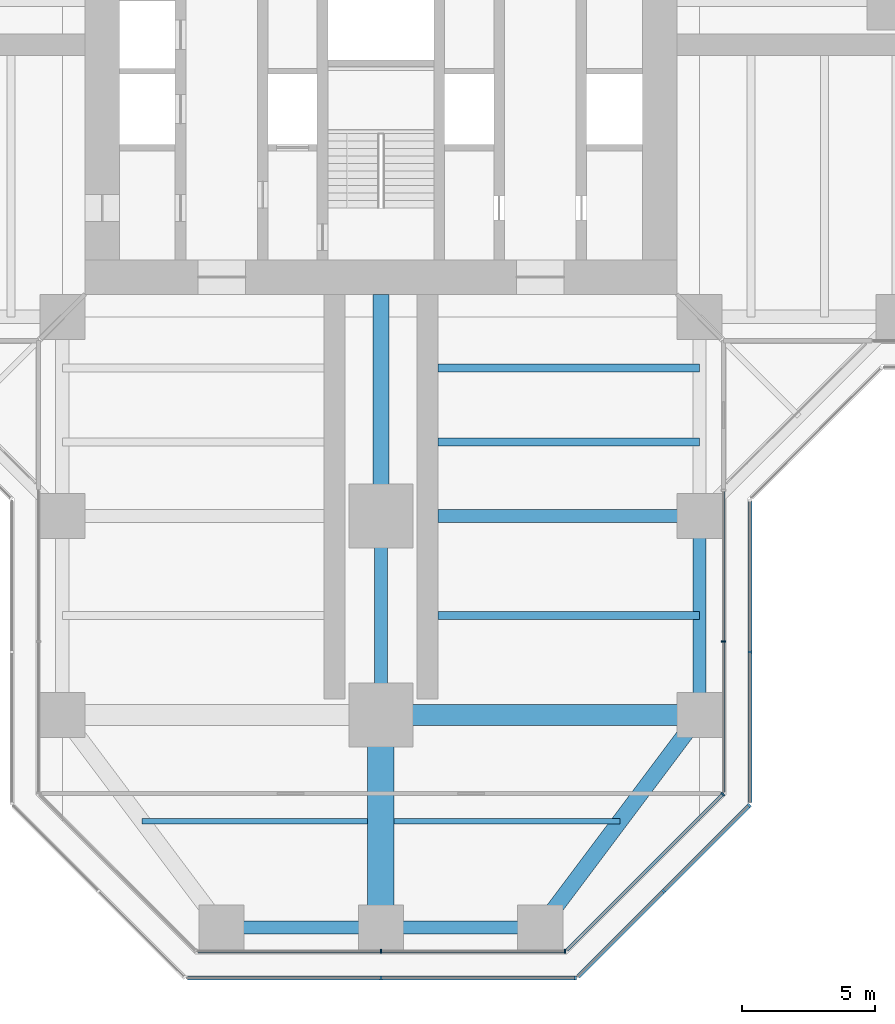
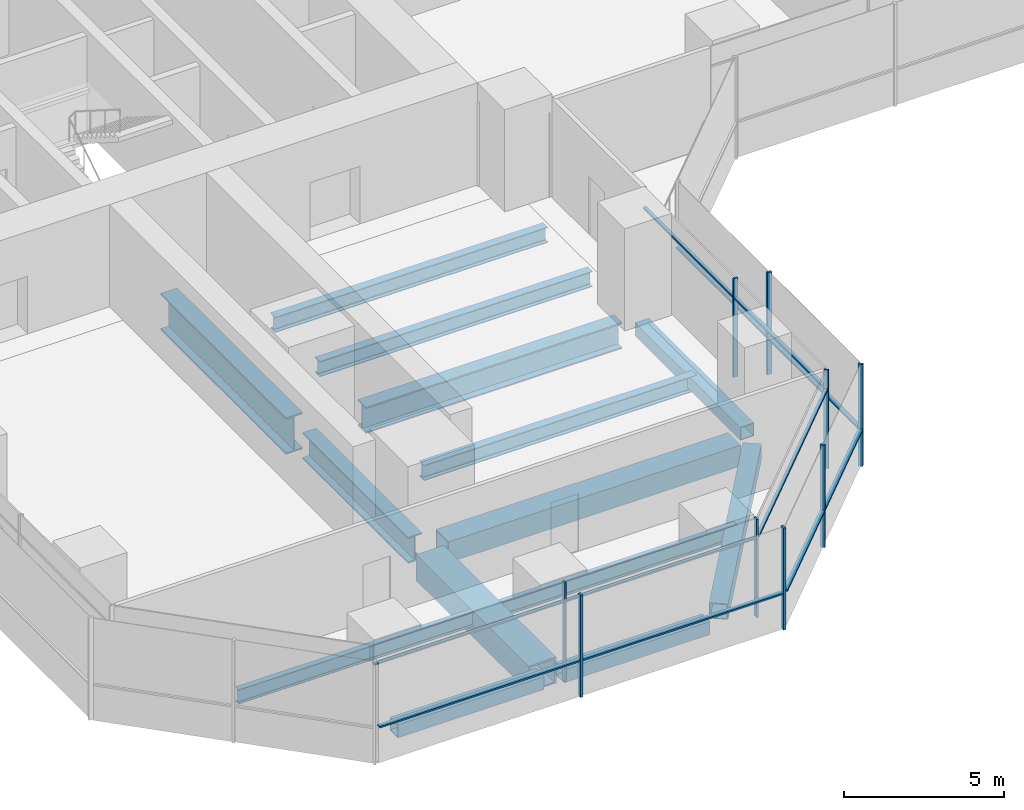
# One storey, part 5 of 22: 20 members, 14 beams, 6 elements without a shape of their own.
"""IFC4 building model written with IfcOpenShell, lengths in metres."""

from ifc_helpers import new_model, si_unit, direction, frame, origin, origin_2d, place, context, subcontext, project, spatial, rectangle, hollow_rectangle, i_section, extrude, material, material_profile, profile_set, type_object, element, aggregate, save


model = new_model("IFC4")

# Units and contexts
model_context = context("Model", 3, precision=1e-05, world=origin(), true_north=direction((0.0, 1.0)))
body_context = subcontext(model_context, "Body", "Model", "MODEL_VIEW")
ifc_project = project(units=[si_unit("LENGTHUNIT", "METRE"), si_unit("AREAUNIT", "SQUARE_METRE"), si_unit("VOLUMEUNIT", "CUBIC_METRE"), si_unit("PLANEANGLEUNIT", "RADIAN"), si_unit("MASSUNIT", "GRAM", prefix="KILO")], contexts=[model_context])

# Site, building, storey
site_placement = place(None, origin())
site = spatial("IfcSite", under=ifc_project, at=site_placement, CompositionType="ELEMENT")
building_placement = place(site_placement, origin())
building = spatial("IfcBuilding", under=site, at=building_placement, Name="Mizan Broadcast Tower", CompositionType="ELEMENT")
storey_placement = place(building_placement, frame((0.0, 0.0, 66.89990234375)))
storey = spatial("IfcBuildingStorey", under=building, at=storey_placement, Name="L13", CompositionType="ELEMENT", Elevation=66.89990234375)

# Beams
ifc_material_1 = material(Name="Steel S355", Category="steel")
ifc_material_profile_1 = material_profile(ifc_material_1, hollow_rectangle(XDim=0.5, YDim=0.5, WallThickness=0.030029296875, at=origin_2d()), Name="BOX 500x500x30")
ifc_profile_set_1 = profile_set([ifc_material_profile_1], Name="Steel S355")
beam_type_1 = type_object("IfcBeamType", Name="EDGE BEAM BOX 500x500x30", PredefinedType="SPANDREL", material=ifc_profile_set_1)
beam_1_placement = place(storey_placement, frame((-5.639892578125, -35.0, -0.3798828125), z_axis=(1.0, 0.0, 0.0), x_axis=(0.0, 1.0, 0.0)))
element("IfcBeam", 1, at=beam_1_placement, inside=storey, type_object=beam_type_1, Name="Edge beam BOX 500x500x30 L13 south arm", PredefinedType="SPANDREL", context=body_context, shape_type="SweptSolid", body=[
    extrude(hollow_rectangle(XDim=0.5, YDim=0.5, WallThickness=0.030029296875, at=origin_2d()), origin(), (0.0, 0.0, 1.0), 5.27978515625),
])
beam_2_placement = place(storey_placement, frame((12.0, -19.949951171875, -0.3798828125), z_axis=(0.0, -1.0, 0.0), x_axis=(1.0, 0.0, 0.0)))
element("IfcBeam", 2, at=beam_2_placement, inside=storey, type_object=beam_type_1, Name="Edge beam BOX 500x500x30 L13 south arm", PredefinedType="SPANDREL", context=body_context, shape_type="SweptSolid", body=[
    extrude(hollow_rectangle(XDim=0.5, YDim=0.5, WallThickness=0.030029296875, at=origin_2d()), origin(), (0.0, 0.0, 1.0), 6.60009765625),
])
beam_3_placement = place(storey_placement, frame((5.639892578125, -35.0, -0.3798828125), z_axis=(-1.0, 0.0, 0.0), x_axis=(0.0, -1.0, 0.0)))
element("IfcBeam", 3, at=beam_3_placement, inside=storey, type_object=beam_type_1, Name="Edge beam BOX 500x500x30 L13 south arm", PredefinedType="SPANDREL", context=body_context, shape_type="SweptSolid", body=[
    extrude(hollow_rectangle(XDim=0.5, YDim=0.5, WallThickness=0.030029296875, at=origin_2d()), origin(), (0.0, 0.0, 1.0), 5.27978515625),
])
ifc_material_2 = material(Name="Steel S355", Category="steel")
ifc_material_profile_2 = material_profile(ifc_material_2, hollow_rectangle(XDim=0.60009765625, YDim=0.60009765625, WallThickness=0.030029296875, at=origin_2d()), Name="BOX 600x600x30")
ifc_profile_set_2 = profile_set([ifc_material_profile_2], Name="Steel S355")
beam_type_2 = type_object("IfcBeamType", Name="EDGE BEAM BOX 600x600x30", PredefinedType="SPANDREL", material=ifc_profile_set_2)
beam_4_placement = place(storey_placement, frame((11.639892578125, -27.47998046875, -0.429931640625), z_axis=(-0.599982243973, -0.800013316712, 0.0), x_axis=(0.800013316712, -0.599982243973, 0.0)))
element("IfcBeam", 4, at=beam_4_placement, inside=storey, type_object=beam_type_2, Name="Edge beam BOX 600x600x30 L13 south arm", PredefinedType="SPANDREL", context=body_context, shape_type="SweptSolid", body=[
    extrude(hollow_rectangle(XDim=0.60009765625, YDim=0.60009765625, WallThickness=0.030029296875, at=origin_2d()), origin(), (0.0, 0.0, 1.0), 8.7998046875),
])
ifc_material_3 = material(Name="Steel S460", Category="steel")
ifc_material_profile_3 = material_profile(ifc_material_3, hollow_rectangle(XDim=1.0, YDim=1.0, WallThickness=0.06005859375, at=origin_2d()), Name="BOX 1000x1000x60")
ifc_profile_set_3 = profile_set([ifc_material_profile_3], Name="Steel S460")
beam_type_3 = type_object("IfcBeamType", Name="GIRDER BOX 1000x1000x60", PredefinedType="BEAM", material=ifc_profile_set_3)
beam_5_placement = place(storey_placement, frame((0.0, -27.47998046875, -0.6298828125), z_axis=(0.0, -1.0, 0.0), x_axis=(1.0, 0.0, 0.0)))
element("IfcBeam", 5, at=beam_5_placement, inside=storey, type_object=beam_type_3, Name="Girder BOX 1000x1000x60 L13 south arm", PredefinedType="BEAM", context=body_context, shape_type="SweptSolid", body=[
    extrude(hollow_rectangle(XDim=1.0, YDim=1.0, WallThickness=0.06005859375, at=origin_2d()), origin(), (0.0, 0.0, 1.0), 7.0400390625),
])
ifc_material_4 = material(Name="Steel S460", Category="steel")
ifc_material_profile_4 = material_profile(ifc_material_4, hollow_rectangle(XDim=0.800048828125, YDim=0.800048828125, WallThickness=0.050048828125, at=origin_2d()), Name="BOX 800x800x50")
ifc_profile_set_4 = profile_set([ifc_material_profile_4], Name="Steel S460")
beam_type_4 = type_object("IfcBeamType", Name="GIRDER BOX 800x800x50", PredefinedType="BEAM", material=ifc_profile_set_4)
beam_6_placement = place(storey_placement, frame((11.280029296875, -27.0, -0.52978515625), z_axis=(-1.0, 0.0, 0.0), x_axis=(0.0, -1.0, 0.0)))
element("IfcBeam", 6, at=beam_6_placement, inside=storey, type_object=beam_type_4, Name="Girder BOX 800x800x50 L13 south arm", PredefinedType="BEAM", context=body_context, shape_type="SweptSolid", body=[
    extrude(hollow_rectangle(XDim=0.800048828125, YDim=0.800048828125, WallThickness=0.050048828125, at=origin_2d()), origin(), (0.0, 0.0, 1.0), 10.56005859375),
])
ifc_material_5 = material(Name="Steel S460", Category="steel")
ifc_material_profile_5 = material_profile(ifc_material_5, i_section(OverallWidth=0.5, OverallDepth=1.0, WebThickness=0.02490234375, FlangeThickness=0.050048828125, at=origin_2d()), Name="WPG 1000x500")
ifc_profile_set_5 = profile_set([ifc_material_profile_5], Name="Steel S460")
beam_type_5 = type_object("IfcBeamType", Name="GIRDER WPG 1000x500", PredefinedType="BEAM", material=ifc_profile_set_5)
beam_7_placement = place(storey_placement, frame((0.0, -19.949951171875, -0.6298828125), z_axis=(0.0, -1.0, 0.0), x_axis=(1.0, 0.0, 0.0)))
element("IfcBeam", 7, at=beam_7_placement, inside=storey, type_object=beam_type_5, Name="Girder WPG 1000x500 L13 south arm", PredefinedType="BEAM", context=body_context, shape_type="SweptSolid", body=[
    extrude(i_section(OverallWidth=0.5, OverallDepth=1.0, WebThickness=0.02490234375, FlangeThickness=0.050048828125, at=origin_2d()), origin(), (0.0, 0.0, 1.0), 6.60009765625),
])
beam_8_placement = place(storey_placement, frame((11.408935546875, -19.5, -0.6298828125), z_axis=(-1.0, 0.0, 0.0), x_axis=(0.0, -1.0, 0.0)))
element("IfcBeam", 8, at=beam_8_placement, inside=storey, type_object=beam_type_5, Name="Girder WPG 1000x500 L13 south arm", PredefinedType="BEAM", context=body_context, shape_type="SweptSolid", body=[
    extrude(i_section(OverallWidth=0.5, OverallDepth=1.0, WebThickness=0.02490234375, FlangeThickness=0.050048828125, at=origin_2d()), origin(), (0.0, 0.0, 1.0), 9.259033203125),
])
ifc_material_6 = material(Name="Steel S460", Category="steel")
ifc_material_profile_6 = material_profile(ifc_material_6, i_section(OverallWidth=0.60009765625, OverallDepth=1.39990234375, WebThickness=0.02490234375, FlangeThickness=0.06005859375, at=origin_2d()), Name="WPG 1400x600")
ifc_profile_set_6 = profile_set([ifc_material_profile_6], Name="Steel S460")
beam_type_6 = type_object("IfcBeamType", Name="GIRDER WPG 1400x600", PredefinedType="BEAM", material=ifc_profile_set_6)
beam_9_placement = place(storey_placement, frame((0.0, -11.14990234375, -0.829833984375), z_axis=(0.0, -1.0, 0.0), x_axis=(1.0, 0.0, 0.0)))
element("IfcBeam", 9, at=beam_9_placement, inside=storey, type_object=beam_type_6, Name="Girder WPG 1400x600 L13 south arm", PredefinedType="BEAM", context=body_context, shape_type="SweptSolid", body=[
    extrude(i_section(OverallWidth=0.60009765625, OverallDepth=1.39990234375, WebThickness=0.02490234375, FlangeThickness=0.06005859375, at=origin_2d()), origin(), (0.0, 0.0, 1.0), 7.84912109375),
])

# Curtain wall, members
ifc_material_7 = material(Name="Aluminium framed glazing", Category="aluminium")
curtain_wall_type_1 = type_object("IfcCurtainWallType", Name="INNER SKIN LOW ZONE", PredefinedType="USERDEFINED", material=ifc_material_7)
curtain_wall_1_placement = place(storey_placement, origin())
curtain_wall_1 = element("IfcCurtainWall", 10, at=curtain_wall_1_placement, inside=storey, type_object=curtain_wall_type_1, Name="Inner skin low zone L13 S end", ObjectType="INNER SKIN LOW ZONE", PredefinedType="USERDEFINED")
ifc_material_8 = material(Name="Aluminium, pale anodised", Category="aluminium")
ifc_material_profile_7 = material_profile(ifc_material_8, rectangle(XDim=0.159912109375, YDim=0.06005859375, at=origin_2d()), Name="MULLION 160x60")
ifc_profile_set_7 = profile_set([ifc_material_profile_7], Name="Aluminium, pale anodised")
member_type_1 = type_object("IfcMemberType", Name="INNER SKIN MULLION 60x160", PredefinedType="MULLION", material=ifc_profile_set_7)
member_1_placement = place(storey_placement, frame((0.0, -35.89990234375, 0.0), z_axis=(0.0, 0.0, 1.0), x_axis=(0.0, 1.0, 0.0)))
member_1 = element("IfcMember", 11, at=member_1_placement, type_object=member_type_1, Name="Inner skin low zone L13 S end mullion 2", PredefinedType="MULLION", context=body_context, shape_type="SweptSolid", body=[
    extrude(rectangle(XDim=0.159912109375, YDim=0.06005859375, at=origin_2d()), origin(), (0.0, 0.0, 1.0), 3.77001953125),
])
member_2_placement = place(storey_placement, frame((6.928466796875, -35.89990234375, 0.0), z_axis=(0.0, 0.0, 1.0), x_axis=(0.0, 1.0, 0.0)))
member_2 = element("IfcMember", 12, at=member_2_placement, type_object=member_type_1, Name="Inner skin low zone L13 S end mullion 3", PredefinedType="MULLION", context=body_context, shape_type="SweptSolid", body=[
    extrude(rectangle(XDim=0.159912109375, YDim=0.06005859375, at=origin_2d()), origin(), (0.0, 0.0, 1.0), 3.77001953125),
])

# Curtain wall, member
curtain_wall_2_placement = place(storey_placement, origin())
curtain_wall_2 = element("IfcCurtainWall", 13, at=curtain_wall_2_placement, inside=storey, type_object=curtain_wall_type_1, Name="Inner skin low zone L13 S chamfer", ObjectType="INNER SKIN LOW ZONE", PredefinedType="USERDEFINED")
member_3_placement = place(storey_placement, frame((12.87890625, -29.979736328125, 0.0), z_axis=(0.0, 0.0, 1.0), x_axis=(-0.707106781187, 0.707106781187, 0.0)))
member_3 = element("IfcMember", 14, at=member_3_placement, type_object=member_type_1, Name="Inner skin low zone L13 S chamfer mullion 2", PredefinedType="MULLION", context=body_context, shape_type="SweptSolid", body=[
    extrude(rectangle(XDim=0.159912109375, YDim=0.06005859375, at=origin_2d()), origin(), (0.0, 0.0, 1.0), 3.77001953125),
])

curtain_wall_3_placement = place(storey_placement, origin())
curtain_wall_3 = element("IfcCurtainWall", 15, at=curtain_wall_3_placement, inside=storey, type_object=curtain_wall_type_1, Name="Inner skin low zone L13 S side", ObjectType="INNER SKIN LOW ZONE", PredefinedType="USERDEFINED")
member_4_placement = place(storey_placement, frame((12.89990234375, -24.229248046875, 0.0), z_axis=(0.0, 0.0, 1.0), x_axis=(-1.0, 0.0, 0.0)))
member_4 = element("IfcMember", 16, at=member_4_placement, type_object=member_type_1, Name="Inner skin low zone L13 S side mullion 2", PredefinedType="MULLION", context=body_context, shape_type="SweptSolid", body=[
    extrude(rectangle(XDim=0.159912109375, YDim=0.06005859375, at=origin_2d()), origin(), (0.0, 0.0, 1.0), 3.77001953125),
])

# Member
ifc_material_9 = material(Name="Aluminium, pale anodised", Category="aluminium")
ifc_material_profile_8 = material_profile(ifc_material_9, rectangle(XDim=0.1201171875, YDim=0.06005859375, at=origin_2d()), Name="TRANSOM 120x60")
ifc_profile_set_8 = profile_set([ifc_material_profile_8], Name="Aluminium, pale anodised")
member_type_2 = type_object("IfcMemberType", Name="INNER SKIN TRANSOM 60x120", PredefinedType="USERDEFINED", material=ifc_profile_set_8)
member_5_placement = place(storey_placement, frame((-6.898681640625, -35.89990234375, 3.030029296875), z_axis=(1.0, 0.0, 0.0), x_axis=(0.0, 1.0, 0.0)))
member_5 = element("IfcMember", 17, at=member_5_placement, type_object=member_type_2, Name="Inner skin low zone L13 S end transom 1.1", ObjectType="TRANSOM", PredefinedType="USERDEFINED", context=body_context, shape_type="SweptSolid", body=[
    extrude(rectangle(XDim=0.1201171875, YDim=0.06005859375, at=origin_2d()), origin(), (0.0, 0.0, 1.0), 6.86865234375),
])

member_6_placement = place(storey_placement, frame((0.030029296875, -35.89990234375, 3.030029296875), z_axis=(1.0, 0.0, 0.0), x_axis=(0.0, 1.0, 0.0)))
member_6 = element("IfcMember", 18, at=member_6_placement, type_object=member_type_2, Name="Inner skin low zone L13 S end transom 2.1", ObjectType="TRANSOM", PredefinedType="USERDEFINED", context=body_context, shape_type="SweptSolid", body=[
    extrude(rectangle(XDim=0.1201171875, YDim=0.06005859375, at=origin_2d()), origin(), (0.0, 0.0, 1.0), 6.86865234375),
])

aggregate(curtain_wall_1, [member_1, member_2, member_5, member_6])

member_7_placement = place(storey_placement, frame((7.0009765625, -35.857666015625, 3.030029296875), z_axis=(0.707106781187, 0.707106781187, 0.0), x_axis=(-0.707106781187, 0.707106781187, 0.0)))
member_7 = element("IfcMember", 19, at=member_7_placement, type_object=member_type_2, Name="Inner skin low zone L13 S chamfer transom 1.1", ObjectType="TRANSOM", PredefinedType="USERDEFINED", context=body_context, shape_type="SweptSolid", body=[
    extrude(rectangle(XDim=0.1201171875, YDim=0.06005859375, at=origin_2d()), origin(), (0.0, 0.0, 1.0), 8.28271484375),
])

aggregate(curtain_wall_2, [member_3, member_7])

member_8_placement = place(storey_placement, frame((12.89990234375, -29.898681640625, 3.030029296875), z_axis=(0.0, 1.0, 0.0), x_axis=(-1.0, 0.0, 0.0)))
member_8 = element("IfcMember", 20, at=member_8_placement, type_object=member_type_2, Name="Inner skin low zone L13 S side transom 1.1", ObjectType="TRANSOM", PredefinedType="USERDEFINED", context=body_context, shape_type="SweptSolid", body=[
    extrude(rectangle(XDim=0.1201171875, YDim=0.06005859375, at=origin_2d()), origin(), (0.0, 0.0, 1.0), 5.639404296875),
])

member_9_placement = place(storey_placement, frame((12.89990234375, -24.19921875, 3.030029296875), z_axis=(0.0, 1.0, 0.0), x_axis=(-1.0, 0.0, 0.0)))
member_9 = element("IfcMember", 21, at=member_9_placement, type_object=member_type_2, Name="Inner skin low zone L13 S side transom 2.1", ObjectType="TRANSOM", PredefinedType="USERDEFINED", context=body_context, shape_type="SweptSolid", body=[
    extrude(rectangle(XDim=0.1201171875, YDim=0.06005859375, at=origin_2d()), origin(), (0.0, 0.0, 1.0), 5.63916015625),
])

aggregate(curtain_wall_3, [member_4, member_8, member_9])

# Curtain wall, members
ifc_material_10 = material(Name="Aluminium framed glazing", Category="aluminium")
curtain_wall_type_2 = type_object("IfcCurtainWallType", Name="OUTER SKIN", PredefinedType="USERDEFINED", material=ifc_material_10)
curtain_wall_4_placement = place(storey_placement, origin())
curtain_wall_4 = element("IfcCurtainWall", 22, at=curtain_wall_4_placement, inside=storey, type_object=curtain_wall_type_2, Name="Outer skin L13 S end", ObjectType="OUTER SKIN", PredefinedType="USERDEFINED")
ifc_material_11 = material(Name="Aluminium, pale anodised", Category="aluminium")
ifc_material_profile_9 = material_profile(ifc_material_11, rectangle(XDim=0.159912109375, YDim=0.080078125, at=origin_2d()), Name="MULLION 160x80")
ifc_profile_set_9 = profile_set([ifc_material_profile_9], Name="Aluminium, pale anodised")
member_type_3 = type_object("IfcMemberType", Name="OUTER SKIN MULLION 80x160", PredefinedType="MULLION", material=ifc_profile_set_9)
member_10_placement = place(storey_placement, frame((0.0, -36.89990234375, 0.0), z_axis=(0.0, 0.0, 1.0), x_axis=(0.0, 1.0, 0.0)))
member_10 = element("IfcMember", 23, at=member_10_placement, type_object=member_type_3, Name="Outer skin L13 S end mullion 2", PredefinedType="MULLION", context=body_context, shape_type="SweptSolid", body=[
    extrude(rectangle(XDim=0.159912109375, YDim=0.080078125, at=origin_2d()), origin(), (0.0, 0.0, 1.0), 3.900146484375),
])
member_11_placement = place(storey_placement, frame((7.332763671875, -36.89990234375, 0.0), z_axis=(0.0, 0.0, 1.0), x_axis=(0.0, 1.0, 0.0)))
member_11 = element("IfcMember", 24, at=member_11_placement, type_object=member_type_3, Name="Outer skin L13 S end mullion 3", PredefinedType="MULLION", context=body_context, shape_type="SweptSolid", body=[
    extrude(rectangle(XDim=0.159912109375, YDim=0.080078125, at=origin_2d()), origin(), (0.0, 0.0, 1.0), 3.900146484375),
])

curtain_wall_5_placement = place(storey_placement, origin())
curtain_wall_5 = element("IfcCurtainWall", 25, at=curtain_wall_5_placement, inside=storey, type_object=curtain_wall_type_2, Name="Outer skin L13 S chamfer", ObjectType="OUTER SKIN", PredefinedType="USERDEFINED")
member_12_placement = place(storey_placement, frame((10.636474609375, -33.636474609375, 0.0), z_axis=(0.0, 0.0, 1.0), x_axis=(-0.707106781187, 0.707106781187, 0.0)))
member_12 = element("IfcMember", 26, at=member_12_placement, type_object=member_type_3, Name="Outer skin L13 S chamfer mullion 2", PredefinedType="MULLION", context=body_context, shape_type="SweptSolid", body=[
    extrude(rectangle(XDim=0.159912109375, YDim=0.080078125, at=origin_2d()), origin(), (0.0, 0.0, 1.0), 3.900146484375),
])
member_13_placement = place(storey_placement, frame((13.871826171875, -30.401123046875, 0.0), z_axis=(0.0, 0.0, 1.0), x_axis=(-0.707106781187, 0.707106781187, 0.0)))
member_13 = element("IfcMember", 27, at=member_13_placement, type_object=member_type_3, Name="Outer skin L13 S chamfer mullion 3", PredefinedType="MULLION", context=body_context, shape_type="SweptSolid", body=[
    extrude(rectangle(XDim=0.159912109375, YDim=0.080078125, at=origin_2d()), origin(), (0.0, 0.0, 1.0), 3.900146484375),
])

# Curtain wall, member
curtain_wall_6_placement = place(storey_placement, origin())
curtain_wall_6 = element("IfcCurtainWall", 28, at=curtain_wall_6_placement, inside=storey, type_object=curtain_wall_type_2, Name="Outer skin L13 S side", ObjectType="OUTER SKIN", PredefinedType="USERDEFINED")
member_14_placement = place(storey_placement, frame((13.89990234375, -24.622802734375, 0.0), z_axis=(0.0, 0.0, 1.0), x_axis=(-1.0, 0.0, 0.0)))
member_14 = element("IfcMember", 29, at=member_14_placement, type_object=member_type_3, Name="Outer skin L13 S side mullion 2", PredefinedType="MULLION", context=body_context, shape_type="SweptSolid", body=[
    extrude(rectangle(XDim=0.159912109375, YDim=0.080078125, at=origin_2d()), origin(), (0.0, 0.0, 1.0), 3.900146484375),
])

# Member
ifc_material_12 = material(Name="Aluminium, pale anodised", Category="aluminium")
ifc_material_profile_10 = material_profile(ifc_material_12, rectangle(XDim=0.159912109375, YDim=0.06005859375, at=origin_2d()), Name="TRANSOM 160x60")
ifc_profile_set_10 = profile_set([ifc_material_profile_10], Name="Aluminium, pale anodised")
member_type_4 = type_object("IfcMemberType", Name="OUTER SKIN TRANSOM 60x160", PredefinedType="USERDEFINED", material=ifc_profile_set_10)
member_15_placement = place(storey_placement, frame((-7.292724609375, -36.89990234375, 1.400146484375), z_axis=(1.0, 0.0, 0.0), x_axis=(0.0, 1.0, 0.0)))
member_15 = element("IfcMember", 30, at=member_15_placement, type_object=member_type_4, Name="Outer skin L13 S end transom 1.1", ObjectType="TRANSOM", PredefinedType="USERDEFINED", context=body_context, shape_type="SweptSolid", body=[
    extrude(rectangle(XDim=0.159912109375, YDim=0.06005859375, at=origin_2d()), origin(), (0.0, 0.0, 1.0), 7.252685546875),
])

member_16_placement = place(storey_placement, frame((0.0400390625, -36.89990234375, 1.400146484375), z_axis=(1.0, 0.0, 0.0), x_axis=(0.0, 1.0, 0.0)))
member_16 = element("IfcMember", 31, at=member_16_placement, type_object=member_type_4, Name="Outer skin L13 S end transom 2.1", ObjectType="TRANSOM", PredefinedType="USERDEFINED", context=body_context, shape_type="SweptSolid", body=[
    extrude(rectangle(XDim=0.159912109375, YDim=0.06005859375, at=origin_2d()), origin(), (0.0, 0.0, 1.0), 7.252685546875),
])

aggregate(curtain_wall_4, [member_10, member_11, member_15, member_16])

member_17_placement = place(storey_placement, frame((7.429443359375, -36.843505859375, 1.400146484375), z_axis=(0.707106781187, 0.707106781187, 0.0), x_axis=(-0.707106781187, 0.707106781187, 0.0)))
member_17 = element("IfcMember", 32, at=member_17_placement, type_object=member_type_4, Name="Outer skin L13 S chamfer transom 1.1", ObjectType="TRANSOM", PredefinedType="USERDEFINED", context=body_context, shape_type="SweptSolid", body=[
    extrude(rectangle(XDim=0.159912109375, YDim=0.06005859375, at=origin_2d()), origin(), (0.0, 0.0, 1.0), 4.495361328125),
])

member_18_placement = place(storey_placement, frame((10.664794921875, -33.608154296875, 1.400146484375), z_axis=(0.707106781187, 0.707106781187, 0.0), x_axis=(-0.707106781187, 0.707106781187, 0.0)))
member_18 = element("IfcMember", 33, at=member_18_placement, type_object=member_type_4, Name="Outer skin L13 S chamfer transom 2.1", ObjectType="TRANSOM", PredefinedType="USERDEFINED", context=body_context, shape_type="SweptSolid", body=[
    extrude(rectangle(XDim=0.159912109375, YDim=0.06005859375, at=origin_2d()), origin(), (0.0, 0.0, 1.0), 4.495361328125),
])

aggregate(curtain_wall_5, [member_12, member_13, member_17, member_18])

member_19_placement = place(storey_placement, frame((13.89990234375, -30.292724609375, 1.400146484375), z_axis=(0.0, 1.0, 0.0), x_axis=(-1.0, 0.0, 0.0)))
member_19 = element("IfcMember", 34, at=member_19_placement, type_object=member_type_4, Name="Outer skin L13 S side transom 1.1", ObjectType="TRANSOM", PredefinedType="USERDEFINED", context=body_context, shape_type="SweptSolid", body=[
    extrude(rectangle(XDim=0.159912109375, YDim=0.06005859375, at=origin_2d()), origin(), (0.0, 0.0, 1.0), 5.6298828125),
])

member_20_placement = place(storey_placement, frame((13.89990234375, -24.582763671875, 1.400146484375), z_axis=(0.0, 1.0, 0.0), x_axis=(-1.0, 0.0, 0.0)))
member_20 = element("IfcMember", 35, at=member_20_placement, type_object=member_type_4, Name="Outer skin L13 S side transom 2.1", ObjectType="TRANSOM", PredefinedType="USERDEFINED", context=body_context, shape_type="SweptSolid", body=[
    extrude(rectangle(XDim=0.159912109375, YDim=0.06005859375, at=origin_2d()), origin(), (0.0, 0.0, 1.0), 5.6298828125),
])

aggregate(curtain_wall_6, [member_14, member_19, member_20])

# Beams
ifc_material_13 = material(Name="Steel S355", Category="steel")
ifc_material_profile_11 = material_profile(ifc_material_13, i_section(OverallWidth=0.300048828125, OverallDepth=0.590087890625, WebThickness=0.012939453125, FlangeThickness=0.02490234375, FilletRadius=0.027099609375, at=origin_2d()), Name="HEA 600")
ifc_profile_set_11 = profile_set([ifc_material_profile_11], Name="Steel S355")
beam_type_7 = type_object("IfcBeamType", Name="SECONDARY BEAM HEA 600", PredefinedType="JOIST", material=ifc_profile_set_11)
for number, where, z_axis, x_axis, name in (
    (36, (12.0, -13.933349609375, -0.4248046875), (-1.0, 0.0, 0.0), (0.0, -1.0, 0.0), "Secondary beam HEA 600 L13 south arm"),
    (37, (12.0, -16.716552734375, -0.4248046875), (-1.0, 0.0, 0.0), (0.0, -1.0, 0.0), "Secondary beam HEA 600 L13 south arm"),
    (38, (12.0, -23.25, -0.4248046875), (-1.0, 0.0, 0.0), (0.0, -1.0, 0.0), "Secondary beam HEA 600 L13 south arm"),
):
    element("IfcBeam", number, at=place(storey_placement, frame(where, z_axis=z_axis, x_axis=x_axis)), inside=storey, type_object=beam_type_7, Name=name, PredefinedType="JOIST", context=body_context, shape_type="SweptSolid", body=[
        extrude(i_section(OverallWidth=0.300048828125, OverallDepth=0.590087890625, WebThickness=0.012939453125, FlangeThickness=0.02490234375, FilletRadius=0.027099609375, at=origin_2d()), origin(), (0.0, 0.0, 1.0), 9.85009765625),
    ])
ifc_material_14 = material(Name="Steel S355", Category="steel")
ifc_material_profile_12 = material_profile(ifc_material_14, i_section(OverallWidth=0.2099609375, OverallDepth=0.550048828125, WebThickness=0.010986328125, FlangeThickness=0.01708984375, FilletRadius=0.02392578125, at=origin_2d()), Name="IPE 550")
ifc_profile_set_12 = profile_set([ifc_material_profile_12], Name="Steel S355")
beam_type_8 = type_object("IfcBeamType", Name="SECONDARY BEAM IPE 550", PredefinedType="JOIST", material=ifc_profile_set_12)
for number, where, z_axis, x_axis, name in (
    (39, (-9.0, -31.0, -0.40478515625), (1.0, 0.0, 0.0), (0.0, 1.0, 0.0), "Secondary beam IPE 550 L13 south arm"),
    (40, (9.0, -31.0, -0.40478515625), (-1.0, 0.0, 0.0), (0.0, -1.0, 0.0), "Secondary beam IPE 550 L13 south arm"),
):
    element("IfcBeam", number, at=place(storey_placement, frame(where, z_axis=z_axis, x_axis=x_axis)), inside=storey, type_object=beam_type_8, Name=name, PredefinedType="JOIST", context=body_context, shape_type="SweptSolid", body=[
        extrude(i_section(OverallWidth=0.2099609375, OverallDepth=0.550048828125, WebThickness=0.010986328125, FlangeThickness=0.01708984375, FilletRadius=0.02392578125, at=origin_2d()), origin(), (0.0, 0.0, 1.0), 8.5),
    ])

save(model, "model.ifc")
